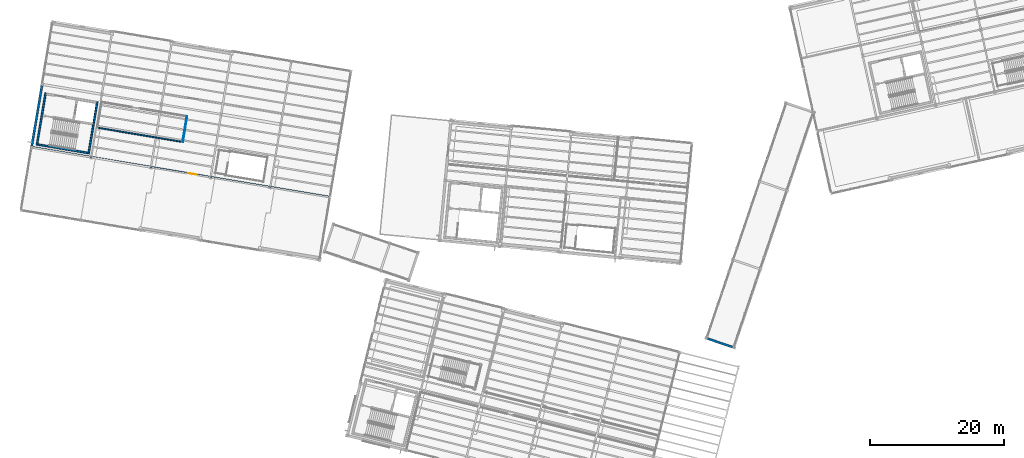
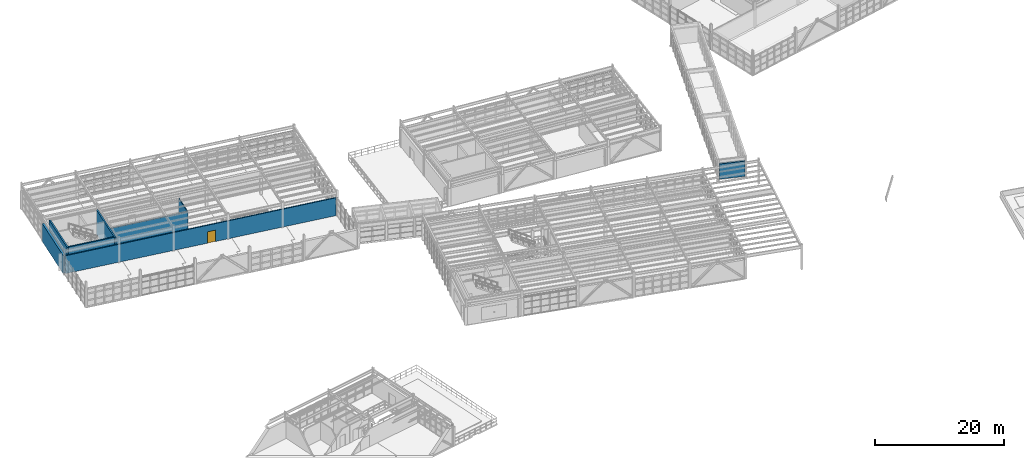
# One storey, part 87 of 102: 8 walls, 1 door, 1 opening.
"""IFC4 building model written with IfcOpenShell, lengths in metres."""

from ifc_helpers import new_model, si_unit, direction, frame, frame_2d, origin, origin_with_axes, place, context, subcontext, project, spatial, rectangle, extrude, material, layer, layer_set, type_object, element, fill, save


model = new_model("IFC4")

# Units and contexts
model_context = context("Model", 3, precision=1e-05, world=origin(), true_north=direction((0.0, 1.0)))
body_context = subcontext(model_context, "Body", "Model", "MODEL_VIEW")
ifc_project = project(units=[si_unit("LENGTHUNIT", "METRE"), si_unit("AREAUNIT", "SQUARE_METRE"), si_unit("VOLUMEUNIT", "CUBIC_METRE"), si_unit("PLANEANGLEUNIT", "RADIAN"), si_unit("MASSUNIT", "GRAM", prefix="KILO")], contexts=[model_context])

# Site, building, storey
site_placement = place(None, origin())
site = spatial("IfcSite", under=ifc_project, at=site_placement, CompositionType="ELEMENT")
building_placement = place(site_placement, origin())
building = spatial("IfcBuilding", under=site, at=building_placement, Name="Vireo Bluff Cable Station", CompositionType="ELEMENT")
storey_placement = place(building_placement, frame((0.0, 0.0, 9.60009765625)))
storey = spatial("IfcBuildingStorey", under=building, at=storey_placement, Name="L02", CompositionType="ELEMENT", Elevation=9.60009765625)

# Walls
ifc_material_1 = material(Name="Precast concrete f'c 45 MPa", Category="concrete")
ifc_layer_1 = layer(ifc_material_1, 0.330078125, Name="Precast concrete f'c 45 MPa")
ifc_layer_set_1 = layer_set([ifc_layer_1], Name="Precast concrete f'c 45 MPa")
wall_type_1 = type_object("IfcWallType", Name="EW-PRECAST-330", PredefinedType="SOLIDWALL", material=ifc_layer_set_1)
wall_1_placement = place(storey_placement, frame((111.400634765625, 51.138427734375, 0.0), z_axis=(0.0, 0.0, 1.0), x_axis=(-0.947286954864, 0.320386368537, 0.0)))
element("IfcWall", 1, at=wall_1_placement, inside=storey, type_object=wall_type_1, Name="Skybridge HAUL-DRIVE-END-A end wall", PredefinedType="SOLIDWALL", context=body_context, shape_type="SweptSolid", body=[
    extrude(rectangle(XDim=4.0478515625, YDim=0.330078125, at=frame_2d((2.02392578125, 0.0))), origin(), (0.0, 0.0, 1.0), 2.8798828125),
])
ifc_layer_2 = layer(ifc_material_1, 0.340087890625, Name="Precast concrete f'c 45 MPa")
ifc_layer_set_2 = layer_set([ifc_layer_2], Name="Precast concrete f'c 45 MPa")
wall_type_2 = type_object("IfcWallType", Name="EW-PRECAST-340", PredefinedType="SOLIDWALL", material=ifc_layer_set_2)
wall_2_placement = place(storey_placement, frame((7.094970703125, 81.031005859375, 0.0), z_axis=(0.0, 0.0, 1.0), x_axis=(0.165042037753, 0.986286533303, 0.0)))
element("IfcWall", 2, at=wall_2_placement, inside=storey, type_object=wall_type_2, Name="V4 L02 west exterior wall 81", PredefinedType="SOLIDWALL", context=body_context, shape_type="SweptSolid", body=[
    extrude(rectangle(XDim=9.1728515625, YDim=0.340087890625, at=frame_2d((4.58642578125, 0.0))), origin(), (0.0, 0.0, 1.0), 3.39990234375),
])
ifc_material_2 = material(Name="Fire-Rated Gypsum Board Partition")
ifc_layer_3 = layer(ifc_material_2, 0.1298828125, Name="Fire-Rated Gypsum Board Partition")
ifc_layer_set_3 = layer_set([ifc_layer_3], Name="Fire-Rated Gypsum Board Partition")
wall_type_3 = type_object("IfcWallType", Name="PT-1HR-130", PredefinedType="PARTITIONING", material=ifc_layer_set_3)
wall_3_placement = place(storey_placement, frame((30.193603515625, 85.4658203125, 0.0), z_axis=(0.0, 0.0, 1.0), x_axis=(-0.165005682962, -0.986292616108, 0.0)))
element("IfcWall", 3, at=wall_3_placement, inside=storey, type_object=wall_type_3, Name="V4 L02 Carrier Dispatch Control Booth E partition", PredefinedType="PARTITIONING", context=body_context, shape_type="SweptSolid", body=[
    extrude(rectangle(XDim=3.849853515625, YDim=0.1298828125, at=frame_2d((1.9248046875, 0.0))), origin(), (0.0, 0.0, 1.0), 3.3798828125),
])
ifc_layer_4 = layer(ifc_material_2, 0.18994140625, Name="Fire-Rated Gypsum Board Partition")
ifc_layer_set_4 = layer_set([ifc_layer_4], Name="Fire-Rated Gypsum Board Partition")
wall_type_4 = type_object("IfcWallType", Name="PT-1HR-190", PredefinedType="PARTITIONING", material=ifc_layer_set_4)
wall_4_placement = place(storey_placement, frame((29.558349609375, 81.668701171875, 0.0), z_axis=(0.0, 0.0, 1.0), x_axis=(-0.986285271059, 0.165049580706, 0.0)))
element("IfcWall", 4, at=wall_4_placement, inside=storey, type_object=wall_type_4, Name="V4 L02 Carrier Dispatch Control Booth S partition", PredefinedType="PARTITIONING", context=body_context, shape_type="SweptSolid", body=[
    extrude(rectangle(XDim=12.900146484375, YDim=0.18994140625, at=frame_2d((6.4501953125, 0.0))), origin(), (0.0, 0.0, 1.0), 3.3798828125),
])

# Wall, opening, door
ifc_layer_5 = layer(ifc_material_2, 0.179931640625, Name="Fire-Rated Gypsum Board Partition")
ifc_layer_set_5 = layer_set([ifc_layer_5], Name="Fire-Rated Gypsum Board Partition")
wall_type_5 = type_object("IfcWallType", Name="PT-2HR-180", PredefinedType="PARTITIONING", material=ifc_layer_set_5)
wall_5_placement = place(storey_placement, frame((7.243896484375, 80.890869140625, 0.0), z_axis=(0.0, 0.0, 1.0), x_axis=(0.986286301143, -0.165043425126, 0.0)))
wall_5 = element("IfcWall", 5, at=wall_5_placement, inside=storey, type_object=wall_type_5, Name="V4 L02 Cabin Garage N partition", PredefinedType="PARTITIONING", context=body_context, shape_type="SweptSolid", body=[
    extrude(rectangle(XDim=44.66015625, YDim=0.179931640625, at=frame_2d((22.330078125, 0.0))), origin(), (0.0, 0.0, 1.0), 3.3798828125),
])
opening_placement = place(wall_5_placement, frame((23.4580078125, 0.0, 0.0)))
opening = element("IfcOpeningElement", 6, at=opening_placement, cuts=wall_5, Name="Opening D-0095", PredefinedType="OPENING", context=body_context, shape_type="SweptSolid", body=[
    extrude(rectangle(XDim=1.300048828125, YDim=2.14990234375, at=frame_2d((0.64990234375, 1.074951171875))), frame((0.0, 0.10009765625, 0.0), z_axis=(0.0, -1.0, 0.0), x_axis=(1.0, 0.0, 0.0)), (0.0, 0.0, 1.0), 0.199951171875),
])
ifc_material_3 = material(Name="Stainless Steel 316", Category="steel")
door_type = type_object("IfcDoorType", Name="IDOOR90-1300X2150", OperationType="NOTDEFINED", PredefinedType="DOOR", material=ifc_material_3)
door_placement = place(opening_placement, origin_with_axes())
door = element("IfcDoor", 7, at=door_placement, inside=storey, type_object=door_type, Name="V4 L02 Cabin Garage door D-0095", OperationType="SINGLE_SWING_RIGHT", OverallHeight=2.14990234375, OverallWidth=1.300048828125, PredefinedType="DOOR", context=body_context, shape_type="SweptSolid", body=[
    extrude(rectangle(XDim=1.300048828125, YDim=2.14990234375, at=frame_2d((0.64990234375, 1.074951171875))), frame((0.0, 0.02490234375, 0.0), z_axis=(0.0, -1.0, 0.0), x_axis=(1.0, 0.0, 0.0)), (0.0, 0.0, 1.0), 0.050048828125),
])
fill(opening, door)

# Walls
ifc_material_4 = material(Name="Concrete f'c 40 MPa", Category="concrete")
ifc_layer_6 = layer(ifc_material_4, 0.25, Name="Concrete f'c 40 MPa")
ifc_layer_set_6 = layer_set([ifc_layer_6], Name="Concrete f'c 40 MPa")
wall_type_6 = type_object("IfcWallType", Name="SW-CORE-250", PredefinedType="SHEAR", material=ifc_layer_set_6)
for number, where, z_axis, x_axis, name in (
    (8, (7.855712890625, 81.18408203125, 0.0), (0.0, 0.0, 1.0), (0.165031598329, 0.986288280146, 0.0), "CORE-3 L02 core W shear wall"),
    (9, (15.548583984375, 79.896728515625, 0.0), (0.0, 0.0, 1.0), (0.16506171759, 0.98628323994, 0.0), "CORE-3 L02 core E shear wall"),
):
    element("IfcWall", number, at=place(storey_placement, frame(where, z_axis=z_axis, x_axis=x_axis)), inside=storey, type_object=wall_type_6, Name=name, PredefinedType="SHEAR", context=body_context, shape_type="SweptSolid", body=[
        extrude(rectangle(XDim=7.885009765625, YDim=0.25, at=frame_2d((3.9423828125, 0.0))), origin(), (0.0, 0.0, 1.0), 4.539794921875),
    ])
wall_6_placement = place(storey_placement, frame((7.99951171875, 81.28662109375, 0.0), z_axis=(0.0, 0.0, 1.0), x_axis=(0.986286216974, -0.165043928115, 0.0)))
element("IfcWall", 10, at=wall_6_placement, inside=storey, type_object=wall_type_6, Name="CORE-3 L02 stair shaft south shear wall", PredefinedType="SHEAR", context=body_context, shape_type="SweptSolid", body=[
    extrude(rectangle(XDim=7.550048828125, YDim=0.25, at=frame_2d((3.77490234375, 0.0))), origin(), (0.0, 0.0, 1.0), 4.539794921875),
])

save(model, "model.ifc")
